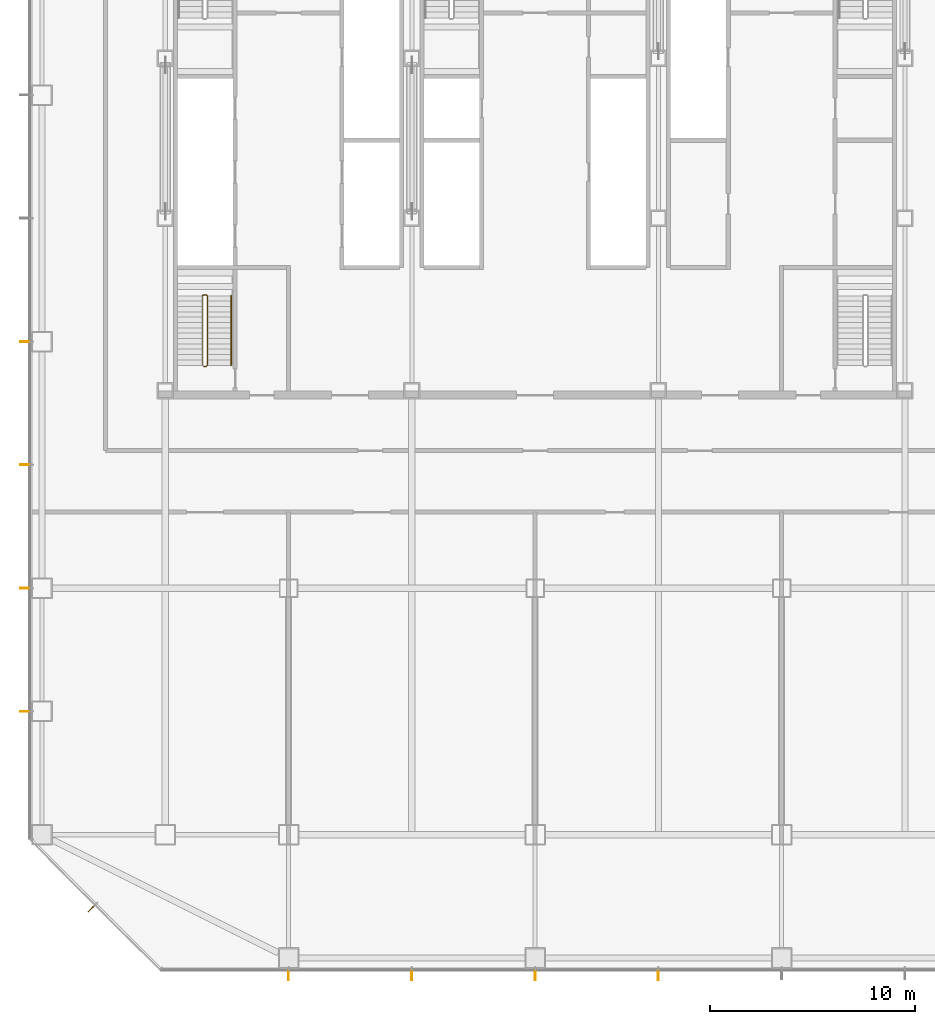
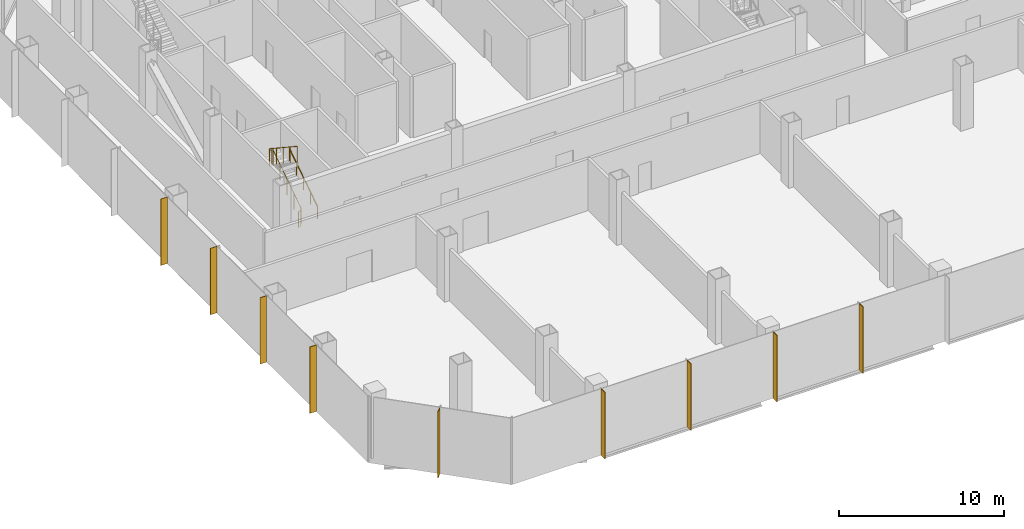
# One storey, part 28 of 34: 9 shading devices, 2 railings.
"""IFC4 building model written with IfcOpenShell, lengths in metres."""

from ifc_helpers import new_model, si_unit, direction, frame, origin, origin_2d, place, context, subcontext, project, spatial, rectangle, circle, extrude, material, material_profile, profile_set, type_object, element, save


model = new_model("IFC4")

# Units and contexts
model_context = context("Model", 3, precision=1e-05, world=origin(), true_north=direction((0.0, 1.0)))
body_context = subcontext(model_context, "Body", "Model", "MODEL_VIEW")
ifc_project = project(units=[si_unit("LENGTHUNIT", "METRE"), si_unit("AREAUNIT", "SQUARE_METRE"), si_unit("VOLUMEUNIT", "CUBIC_METRE"), si_unit("PLANEANGLEUNIT", "RADIAN"), si_unit("MASSUNIT", "GRAM", prefix="KILO")], contexts=[model_context])

# Site, building, storey
site_placement = place(None, origin())
site = spatial("IfcSite", under=ifc_project, at=site_placement, CompositionType="ELEMENT")
building_placement = place(site_placement, origin())
building = spatial("IfcBuilding", under=site, at=building_placement, Name="Sorahane Residences", CompositionType="ELEMENT")
storey_placement = place(building_placement, frame((0.0, 0.0, 39.60009765625)))
storey = spatial("IfcBuildingStorey", under=building, at=storey_placement, Name="L06", CompositionType="ELEMENT", Elevation=39.60009765625)

# Shading devices
ifc_material_1 = material(Name="Terracotta anodised aluminium", Category="masonry")
ifc_material_profile = material_profile(ifc_material_1, rectangle(XDim=0.449951171875, YDim=0.0400390625, at=origin_2d()), Name="Podium vertical fin terracotta anodised aluminium 450x40")
ifc_profile_set = profile_set([ifc_material_profile], Name="Terracotta anodised aluminium")
shading_device_type = type_object("IfcShadingDeviceType", Name="Podium vertical fin terracotta anodised aluminium 450x40", PredefinedType="USERDEFINED", material=ifc_profile_set)
for number, where, z_axis, x_axis, name in (
    (1, (12.0, -6.844970703125, -0.400146484375), (0.0, 0.0, 1.0), (0.0, -1.0, 0.0), "Podium vertical fin L06 S1.1"),
    (2, (18.0, -6.844970703125, -0.400146484375), (0.0, 0.0, 1.0), (0.0, -1.0, 0.0), "Podium vertical fin L06 S1.2"),
    (3, (24.0, -6.844970703125, -0.400146484375), (0.0, 0.0, 1.0), (0.0, -1.0, 0.0), "Podium vertical fin L06 S1.3"),
    (4, (30.0, -6.844970703125, -0.400146484375), (0.0, 0.0, 1.0), (0.0, -1.0, 0.0), "Podium vertical fin L06 S1.4"),
    (5, (-0.844970703125, 24.0, -0.400146484375), (0.0, 0.0, 1.0), (-1.0, 0.0, 0.0), "Podium vertical fin L06 W1.4"),
    (6, (-0.844970703125, 18.0, -0.400146484375), (0.0, 0.0, 1.0), (-1.0, 0.0, 0.0), "Podium vertical fin L06 W1.5"),
    (7, (-0.844970703125, 12.0, -0.400146484375), (0.0, 0.0, 1.0), (-1.0, 0.0, 0.0), "Podium vertical fin L06 W1.6"),
    (8, (-0.844970703125, 6.0, -0.400146484375), (0.0, 0.0, 1.0), (-1.0, 0.0, 0.0), "Podium vertical fin L06 W1.7"),
    (9, (2.402587890625, -3.597412109375, -0.400146484375), (0.0, 0.0, 1.0), (-0.707106781187, -0.707106781187, 0.0), "Podium vertical fin L06 SW1.1"),
):
    element("IfcShadingDevice", number, at=place(storey_placement, frame(where, z_axis=z_axis, x_axis=x_axis)), inside=storey, type_object=shading_device_type, Name=name, ObjectType="Vertical fin", PredefinedType="USERDEFINED", context=body_context, shape_type="SweptSolid", body=[
        extrude(rectangle(XDim=0.449951171875, YDim=0.0400390625, at=origin_2d()), origin(), (0.0, 0.0, 1.0), 4.900146484375),
    ])

# Railings
ifc_material_2 = material(Name="Steel Q355B", Category="steel")
railing_type_1 = type_object("IfcRailingType", Name="Stair guard 1200 Steel Q355B", PredefinedType="GUARDRAIL", material=ifc_material_2)
railing_1_placement = place(storey_placement, frame((7.85009765625, 22.800048828125, 0.0)))
element("IfcRailing", 10, at=railing_1_placement, inside=storey, type_object=railing_type_1, Name="L06 S4 stair guard 1", PredefinedType="GUARDRAIL", context=body_context, shape_type="SweptSolid", body=[
    extrude(circle(Radius=0.02392578125, at=origin_2d()), frame((0.0, 0.0, 1.17578125), z_axis=(1.0, 0.0, 0.0), x_axis=(0.0, 1.0, 0.0)), (0.0, 0.0, 1.0), 0.14990234375),
    extrude(circle(Radius=0.02392578125, at=origin_2d()), frame((0.14990234375, 0.0, 1.17578125), z_axis=(0.269911200495, 0.269911200495, 0.924281281696), x_axis=(-0.707106781187, 0.707106781187, 0.0)), (0.0, 0.0, 1.0), 0.185546875),
    extrude(circle(Radius=0.02392578125, at=origin_2d()), frame((0.199951171875, 0.050048828125, 1.34716796875), z_axis=(0.0, 0.83485994896, 0.550462410727), x_axis=(-1.0, 0.0, 0.0)), (0.0, 0.0, 1.0), 4.04833984375),
    extrude(circle(Radius=0.02392578125, at=origin_2d()), frame((0.199951171875, 3.429931640625, 3.57568359375), z_axis=(-0.707106781187, 0.707106781187, 0.0), x_axis=(-0.707106781187, -0.707106781187, 0.0)), (0.0, 0.0, 1.0), 0.07080078125),
    extrude(circle(Radius=0.02392578125, at=origin_2d()), frame((0.14990234375, 3.47998046875, 3.57568359375), z_axis=(-1.0, 0.0, 0.0), x_axis=(0.0, -1.0, 0.0)), (0.0, 0.0, 1.0), 0.14990234375),
    extrude(circle(Radius=0.02392578125, at=origin_2d()), frame((0.0, 3.47998046875, 3.57568359375), z_axis=(-0.269911200495, -0.269911200495, 0.924281281696), x_axis=(0.707106781187, -0.707106781187, 0.0)), (0.0, 0.0, 1.0), 0.185546875),
    extrude(circle(Radius=0.02392578125, at=origin_2d()), frame((-0.050048828125, 3.429931640625, 3.7470703125), z_axis=(0.0, -0.83485994896, 0.550462410727), x_axis=(1.0, 0.0, 0.0)), (0.0, 0.0, 1.0), 4.04833984375),
    extrude(circle(Radius=0.02099609375, at=origin_2d()), origin(), (0.0, 0.0, 1.0), 1.15185546875),
    extrude(circle(Radius=0.02099609375, at=origin_2d()), frame((0.14990234375, 0.0, 0.0)), (0.0, 0.0, 1.0), 1.15185546875),
    extrude(circle(Radius=0.02099609375, at=origin_2d()), frame((0.199951171875, 0.050048828125, 0.17138671875)), (0.0, 0.0, 1.0), 1.15185546875),
    extrude(circle(Radius=0.02099609375, at=origin_2d()), frame((0.199951171875, 0.89501953125, 0.728515625)), (0.0, 0.0, 1.0), 1.15185546875),
    extrude(circle(Radius=0.02099609375, at=origin_2d()), frame((0.199951171875, 1.739990234375, 1.28564453125)), (0.0, 0.0, 1.0), 1.15185546875),
    extrude(circle(Radius=0.02099609375, at=origin_2d()), frame((0.199951171875, 2.5849609375, 1.8427734375)), (0.0, 0.0, 1.0), 1.15185546875),
    extrude(circle(Radius=0.02099609375, at=origin_2d()), frame((0.199951171875, 3.429931640625, 2.39990234375)), (0.0, 0.0, 1.0), 1.15185546875),
    extrude(circle(Radius=0.02099609375, at=origin_2d()), frame((0.14990234375, 3.47998046875, 2.39990234375)), (0.0, 0.0, 1.0), 1.15185546875),
    extrude(circle(Radius=0.02099609375, at=origin_2d()), frame((0.0, 3.47998046875, 2.39990234375)), (0.0, 0.0, 1.0), 1.15185546875),
    extrude(circle(Radius=0.02099609375, at=origin_2d()), frame((-0.050048828125, 3.429931640625, 2.5712890625)), (0.0, 0.0, 1.0), 1.15185546875),
    extrude(circle(Radius=0.02099609375, at=origin_2d()), frame((-0.050048828125, 2.5849609375, 3.12841796875)), (0.0, 0.0, 1.0), 1.15185546875),
    extrude(circle(Radius=0.02099609375, at=origin_2d()), frame((-0.050048828125, 1.739990234375, 3.685546875)), (0.0, 0.0, 1.0), 1.15185546875),
    extrude(circle(Radius=0.02099609375, at=origin_2d()), frame((-0.050048828125, 0.89501953125, 4.24267578125)), (0.0, 0.0, 1.0), 1.15185546875),
    extrude(circle(Radius=0.02099609375, at=origin_2d()), frame((-0.050048828125, 0.050048828125, 4.7998046875)), (0.0, 0.0, 1.0), 1.15185546875),
])
ifc_material_3 = material(Name="Steel Q355B", Category="steel")
railing_type_2 = type_object("IfcRailingType", Name="Stair handrail 900 Steel Q355B", PredefinedType="HANDRAIL", material=ifc_material_3)
railing_2_placement = place(storey_placement, frame((9.199951171875, 22.85009765625, 0.17138671875)))
element("IfcRailing", 11, at=railing_2_placement, inside=storey, type_object=railing_type_2, Name="L06 S4 stair handrail 1", PredefinedType="HANDRAIL", context=body_context, shape_type="SweptSolid", body=[
    extrude(circle(Radius=0.02392578125, at=origin_2d()), frame((0.0, 0.0, 0.8759765625), z_axis=(0.0, 0.83485994896, 0.550462410727), x_axis=(-1.0, 0.0, 0.0)), (0.0, 0.0, 1.0), 4.04833984375),
    extrude(circle(Radius=0.02099609375, at=origin_2d()), origin(), (0.0, 0.0, 1.0), 0.851806640625),
    extrude(circle(Radius=0.02099609375, at=origin_2d()), frame((0.0, 0.844970703125, 0.55712890625)), (0.0, 0.0, 1.0), 0.851806640625),
    extrude(circle(Radius=0.02099609375, at=origin_2d()), frame((0.0, 1.68994140625, 1.1142578125)), (0.0, 0.0, 1.0), 0.851806640625),
    extrude(circle(Radius=0.02099609375, at=origin_2d()), frame((0.0, 2.534912109375, 1.67138671875)), (0.0, 0.0, 1.0), 0.851806640625),
    extrude(circle(Radius=0.02099609375, at=origin_2d()), frame((0.0, 3.3798828125, 2.228515625)), (0.0, 0.0, 1.0), 0.851806640625),
])

save(model, "model.ifc")
